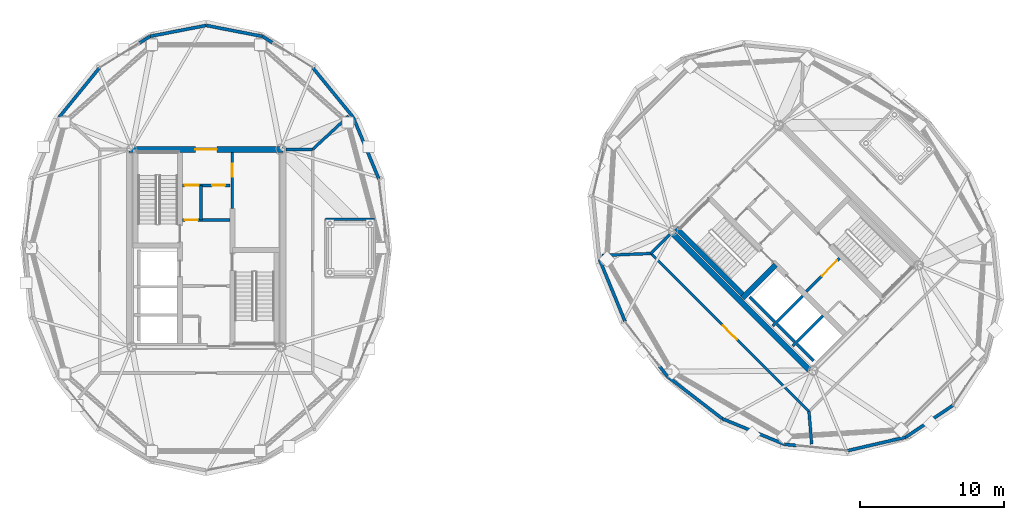
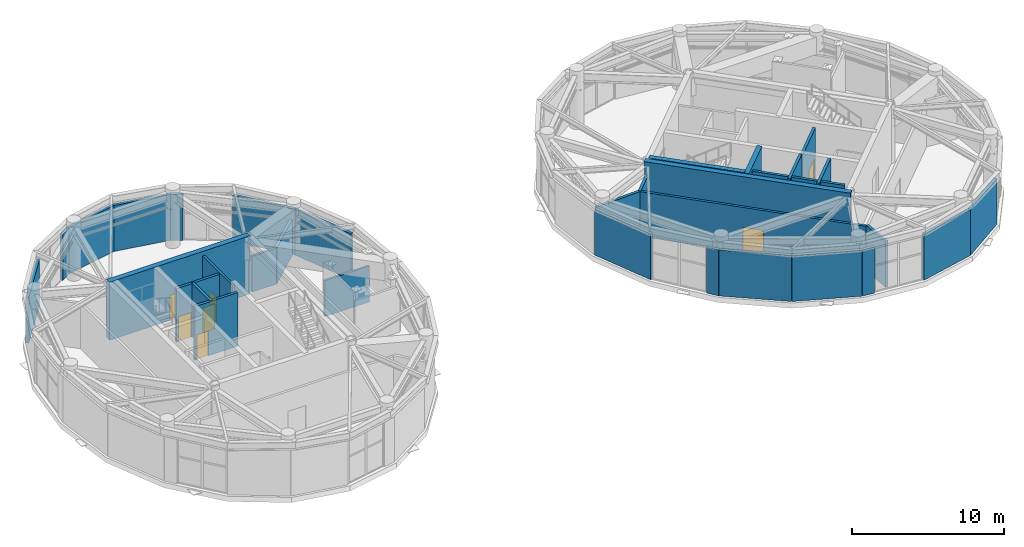
# One storey, part 24 of 28: 35 walls, 7 doors, 7 openings.
"""IFC4 building model written with IfcOpenShell, lengths in metres."""

from ifc_helpers import new_model, si_unit, direction, frame, frame_2d, origin, place, context, subcontext, project, spatial, rectangle, extrude, source, transform, mapped, material, layer, layer_set, type_object, element, fill, save


model = new_model("IFC4")

# Units and contexts
model_context = context("Model", 3, precision=1e-05, world=origin(), true_north=direction((0.0, 1.0)))
body_context = subcontext(model_context, "Body", "Model", "MODEL_VIEW")
ifc_project = project(units=[si_unit("LENGTHUNIT", "METRE"), si_unit("AREAUNIT", "SQUARE_METRE"), si_unit("VOLUMEUNIT", "CUBIC_METRE"), si_unit("PLANEANGLEUNIT", "RADIAN"), si_unit("MASSUNIT", "GRAM", prefix="KILO")], contexts=[model_context])

# Site, building, storey
site_placement = place(None, origin())
site = spatial("IfcSite", under=ifc_project, at=site_placement, CompositionType="ELEMENT")
building_placement = place(site_placement, origin())
building = spatial("IfcBuilding", under=site, at=building_placement, Name="Cununo Teusaquillo Station Towers", CompositionType="ELEMENT")
storey_placement = place(building_placement, frame((0.0, 0.0, 235.64990234375)))
storey = spatial("IfcBuildingStorey", under=building, at=storey_placement, Name="L75", CompositionType="ELEMENT", Elevation=235.64990234375)

# Walls
ifc_material_1 = material(Name="Concrete C50/60", Category="concrete")
ifc_layer_1 = layer(ifc_material_1, 0.199951171875)
ifc_layer_set_1 = layer_set([ifc_layer_1], Name="Concrete C50/60")
wall_type_1 = type_object("IfcWallType", Name="WL-CORE-200", PredefinedType="SHEAR", material=ifc_layer_set_1)
wall_1_placement = place(storey_placement, frame((55.8876953125, 19.0693359375, 0.0), z_axis=(0.0, 0.0, 1.0), x_axis=(0.707106781187, 0.707106781187, 0.0)))
element("IfcWall", 1, at=wall_1_placement, inside=storey, type_object=wall_type_1, Name="L75 Tower B Firefighting Lift Shaft South Shear Wall", PredefinedType="SHEAR", context=body_context, shape_type="SweptSolid", body=[
    extrude(rectangle(XDim=2.969970703125, YDim=0.199951171875, at=frame_2d((1.48486328125, 0.0))), origin(), (0.0, 0.0, 1.0), 4.68017578125),
])
wall_2_placement = place(storey_placement, frame((56.01513671875, 19.366455078125, 0.0), z_axis=(0.0, 0.0, 1.0), x_axis=(-0.707106781187, 0.707106781187, 0.0)))
element("IfcWall", 2, at=wall_2_placement, inside=storey, type_object=wall_type_1, Name="L75 Tower B Firefighting Lift Shaft Rear Shear Wall", PredefinedType="SHEAR", context=body_context, shape_type="SweptSolid", body=[
    extrude(rectangle(XDim=2.43994140625, YDim=0.199951171875, at=frame_2d((1.219970703125, 0.0))), origin(), (0.0, 0.0, 1.0), 4.68017578125),
])
wall_3_placement = place(storey_placement, frame((57.2841796875, 17.6728515625, 0.0), z_axis=(0.0, 0.0, 1.0), x_axis=(0.707147878904, 0.70706568108, 0.0)))
element("IfcWall", 3, at=wall_3_placement, inside=storey, type_object=wall_type_1, Name="L75 Tower B High-Rise Lift Hoistway Divider Shear Wall", PredefinedType="SHEAR", context=body_context, shape_type="SweptSolid", body=[
    extrude(rectangle(XDim=2.97021484375, YDim=0.199951171875, at=frame_2d((1.485107421875, 0.0))), origin(), (0.0, 0.0, 1.0), 4.68017578125),
])
wall_4_placement = place(storey_placement, frame((57.41162109375, 17.969970703125, 0.0), z_axis=(0.0, 0.0, 1.0), x_axis=(-0.707106781187, 0.707106781187, 0.0)))
element("IfcWall", 4, at=wall_4_placement, inside=storey, type_object=wall_type_1, Name="L75 Tower B High-Rise Lift 2 Shaft Rear Shear Wall", PredefinedType="SHEAR", context=body_context, shape_type="SweptSolid", body=[
    extrude(rectangle(XDim=1.73486328125, YDim=0.199951171875, at=frame_2d((0.867431640625, 0.0))), origin(), (0.0, 0.0, 1.0), 4.68017578125),
])
wall_5_placement = place(storey_placement, frame((58.7373046875, 16.64404296875, 0.0), z_axis=(0.0, 0.0, 1.0), x_axis=(-0.707032117043, 0.707181437447, 0.0)))
element("IfcWall", 5, at=wall_5_placement, inside=storey, type_object=wall_type_1, Name="L75 Tower B High-Rise Lift 1 Shaft Rear Shear Wall", PredefinedType="SHEAR", context=body_context, shape_type="SweptSolid", body=[
    extrude(rectangle(XDim=1.635009765625, YDim=0.199951171875, at=frame_2d((0.8173828125, 0.0))), origin(), (0.0, 0.0, 1.0), 4.68017578125),
])
ifc_material_2 = material(Name="Concrete C50/60", Category="concrete")
ifc_layer_2 = layer(ifc_material_2, 0.35009765625)
ifc_layer_set_2 = layer_set([ifc_layer_2], Name="Concrete C50/60")
wall_type_2 = type_object("IfcWallType", Name="WL-CORE-350", PredefinedType="SHEAR", material=ifc_layer_set_2)
wall_6_placement = place(storey_placement, frame((53.922119140625, 21.14111328125, 0.0), z_axis=(0.0, 0.0, 1.0), x_axis=(-0.707106781187, 0.707106781187, 0.0)))
element("IfcWall", 6, at=wall_6_placement, inside=storey, type_object=wall_type_2, Name="L75 Tower B Core Shear Wall ST1W", PredefinedType="SHEAR", context=body_context, shape_type="SweptSolid", body=[
    extrude(rectangle(XDim=6.695068359375, YDim=0.35009765625, at=frame_2d((3.34765625, 0.0))), origin(), (0.0, 0.0, 1.0), 4.68017578125),
])
wall_7_placement = place(storey_placement, frame((53.7841796875, 21.00341796875, 0.0), z_axis=(0.0, 0.0, 1.0), x_axis=(0.707106781187, 0.707106781187, 0.0)))
element("IfcWall", 7, at=wall_7_placement, inside=storey, type_object=wall_type_2, Name="L75 Tower B Core Shear Wall ST1S", PredefinedType="SHEAR", context=body_context, shape_type="SweptSolid", body=[
    extrude(rectangle(XDim=3.284912109375, YDim=0.35009765625, at=frame_2d((1.642578125, 0.0))), origin(), (0.0, 0.0, 1.0), 4.68017578125),
])

# Wall, opening, door
ifc_material_3 = material(Name="Concrete C50/60", Category="concrete")
ifc_layer_3 = layer(ifc_material_3, 0.39990234375)
ifc_layer_set_3 = layer_set([ifc_layer_3], Name="Concrete C50/60")
wall_type_3 = type_object("IfcWallType", Name="WL-CORE-400", PredefinedType="SHEAR", material=ifc_layer_set_3)
wall_8_placement = place(storey_placement, frame((11.14990234375, 31.35009765625, 0.0), z_axis=(0.0, 0.0, 1.0), x_axis=(1.0, 0.0, 0.0)))
wall_8 = element("IfcWall", 8, at=wall_8_placement, inside=storey, type_object=wall_type_3, Name="L75 Tower A Core Shear Wall N", PredefinedType="SHEAR", context=body_context, shape_type="SweptSolid", body=[
    extrude(rectangle(XDim=10.7001953125, YDim=0.39990234375, at=frame_2d((5.35009765625, 0.0))), origin(), (0.0, 0.0, 1.0), 4.68017578125),
])
shared_shape_1 = source(origin(), body_context, "Body", "SweptSolid", [
    extrude(rectangle(XDim=1.5, YDim=2.02001953125, at=frame_2d((0.75, 1.010009765625))), frame((0.0, 0.2099609375, 0.0), z_axis=(0.0, -1.0, 0.0), x_axis=(1.0, 0.0, 0.0)), (0.0, 0.0, 1.0), 0.419921875),
])
opening_1_placement = place(wall_8_placement, frame((4.60009765625, 0.0, 0.0)))
opening_1 = element("IfcOpeningElement", 9, at=opening_1_placement, cuts=wall_8, Name="Opening D-LB1", PredefinedType="OPENING", context=body_context, shape_type="MappedRepresentation", body=[
    mapped(shared_shape_1, transform((0.0, 0.0, 0.0), x_axis=(1.0, 0.0, 0.0), y_axis=(0.0, 1.0, 0.0), z_axis=(0.0, 0.0, 1.0), scale=1.0)),
])
ifc_material_4 = material(Name="Galvanised fire-rated hollow steel door assembly", Category="steel")
door_type_1 = type_object("IfcDoorType", Name="DR-LOBBY-1500", OperationType="DOUBLE_DOOR_SINGLE_SWING", PredefinedType="DOOR", material=ifc_material_4)
shared_shape_2 = source(origin(), body_context, "Body", "SweptSolid", [
    extrude(rectangle(XDim=1.5, YDim=2.02001953125, at=frame_2d((0.75, 1.010009765625))), frame((0.0, 0.02490234375, 0.0), z_axis=(0.0, -1.0, 0.0), x_axis=(1.0, 0.0, 0.0)), (0.0, 0.0, 1.0), 0.050048828125),
])
door_1_placement = place(opening_1_placement, origin())
door_1 = element("IfcDoor", 10, at=door_1_placement, inside=storey, type_object=door_type_1, Name="L75 Tower A North Core Lift Lobby Door", OperationType="DOUBLE_DOOR_SINGLE_SWING", OverallHeight=2.02001953125, OverallWidth=1.5, PredefinedType="DOOR", context=body_context, shape_type="MappedRepresentation", body=[
    mapped(shared_shape_2, transform((0.0, 0.0, 0.0), x_axis=(1.0, 0.0, 0.0), y_axis=(0.0, 1.0, 0.0), z_axis=(0.0, 0.0, 1.0), scale=1.0)),
])
fill(opening_1, door_1)

# Walls
wall_9_placement = place(storey_placement, frame((58.7021484375, 15.73193359375, 0.0), z_axis=(0.0, 0.0, 1.0), x_axis=(-0.707106781187, 0.707106781187, 0.0)))
element("IfcWall", 11, at=wall_9_placement, inside=storey, type_object=wall_type_3, Name="L75 Tower B Core Shear Wall W", PredefinedType="SHEAR", context=body_context, shape_type="SweptSolid", body=[
    extrude(rectangle(XDim=14.10009765625, YDim=0.39990234375, at=frame_2d((7.050048828125, 0.0))), origin(), (0.0, 0.0, 1.0), 4.68017578125),
])
ifc_material_5 = material(Name="Precast concrete C40/50", Category="concrete")
ifc_layer_4 = layer(ifc_material_5, 0.219970703125)
ifc_layer_set_4 = layer_set([ifc_layer_4], Name="Precast concrete C40/50")
wall_type_4 = type_object("IfcWallType", Name="WL-EXT-220", PredefinedType="SOLIDWALL", material=ifc_layer_set_4)
wall_10_placement = place(storey_placement, frame((26.718017578125, 33.593017578125, 0.0), z_axis=(0.0, 0.0, 1.0), x_axis=(0.384036305194, -0.923317993052, 0.0)))
element("IfcWall", 12, at=wall_10_placement, inside=storey, type_object=wall_type_4, Name="L75 Tower A Crown Drum Spandrel Cassette C01", PredefinedType="SOLIDWALL", context=body_context, shape_type="SweptSolid", body=[
    extrude(rectangle(XDim=4.670654296875, YDim=0.219970703125, at=frame_2d((2.33544921875, 0.0))), origin(), (0.0, 0.0, 1.0), 3.696044921875),
])
wall_11_placement = place(storey_placement, frame((23.923583984375, 37.015380859375, 0.0), z_axis=(0.0, 0.0, 1.0), x_axis=(0.632467166636, -0.774587169483, 0.0)))
element("IfcWall", 13, at=wall_11_placement, inside=storey, type_object=wall_type_4, Name="L75 Tower A Crown Drum Spandrel Cassette C02", PredefinedType="SOLIDWALL", context=body_context, shape_type="SweptSolid", body=[
    extrude(rectangle(XDim=4.418212890625, YDim=0.219970703125, at=frame_2d((2.208984375, 0.0))), origin(), (0.0, 0.0, 1.0), 3.696044921875),
])
wall_12_placement = place(storey_placement, frame((20.40283203125, 39.212890625, 0.0), z_axis=(0.0, 0.0, 1.0), x_axis=(0.848376354637, -0.529393578439, 0.0)))
element("IfcWall", 14, at=wall_12_placement, inside=storey, type_object=wall_type_4, Name="L75 Tower A Crown Drum Pier Cassette C03-PA", PredefinedType="SOLIDWALL", context=body_context, shape_type="SweptSolid", body=[
    extrude(rectangle(XDim=0.8701171875, YDim=0.219970703125, at=frame_2d((0.43505859375, 0.0))), origin(), (0.0, 0.0, 1.0), 3.696044921875),
])
for number, where, z_axis, x_axis, name in (
    (15, (16.5, 39.969970703125, 0.0), (0.0, 0.0, 1.0), (0.981700307484, -0.190432419211, 0.0), "L75 Tower A Crown Drum Spandrel Cassette C04"),
    (16, (12.59716796875, 39.212890625, 0.0), (0.0, 0.0, 1.0), (0.981700307484, 0.190432419211, 0.0), "L75 Tower A Crown Drum Spandrel Cassette C05"),
):
    element("IfcWall", number, at=place(storey_placement, frame(where, z_axis=z_axis, x_axis=x_axis)), inside=storey, type_object=wall_type_4, Name=name, PredefinedType="SOLIDWALL", context=body_context, shape_type="SweptSolid", body=[
        extrude(rectangle(XDim=3.9755859375, YDim=0.219970703125, at=frame_2d((1.98779296875, 0.0))), origin(), (0.0, 0.0, 1.0), 3.696044921875),
    ])
wall_13_placement = place(storey_placement, frame((11.85888671875, 38.752197265625, 0.0), z_axis=(0.0, 0.0, 1.0), x_axis=(0.848376354637, 0.529393578439, 0.0)))
element("IfcWall", 17, at=wall_13_placement, inside=storey, type_object=wall_type_4, Name="L75 Tower A Crown Drum Pier Cassette C06-PB", PredefinedType="SOLIDWALL", context=body_context, shape_type="SweptSolid", body=[
    extrude(rectangle(XDim=0.8701171875, YDim=0.219970703125, at=frame_2d((0.43505859375, 0.0))), origin(), (0.0, 0.0, 1.0), 3.696044921875),
])
wall_14_placement = place(storey_placement, frame((6.281982421875, 33.593017578125, 0.0), z_axis=(0.0, 0.0, 1.0), x_axis=(0.632467166636, 0.774587169483, 0.0)))
element("IfcWall", 18, at=wall_14_placement, inside=storey, type_object=wall_type_4, Name="L75 Tower A Crown Drum Spandrel Cassette C07", PredefinedType="SOLIDWALL", context=body_context, shape_type="SweptSolid", body=[
    extrude(rectangle(XDim=4.418212890625, YDim=0.219970703125, at=frame_2d((2.208984375, 0.0))), origin(), (0.0, 0.0, 1.0), 3.696044921875),
])
wall_15_placement = place(storey_placement, frame((45.626220703125, 19.38671875, 0.0), z_axis=(0.0, 0.0, 1.0), x_axis=(-0.381309704956, 0.924447353237, 0.0)))
element("IfcWall", 19, at=wall_15_placement, inside=storey, type_object=wall_type_4, Name="L75 Tower B Crown Drum Spandrel Cassette C08", PredefinedType="SOLIDWALL", context=body_context, shape_type="SweptSolid", body=[
    extrude(rectangle(XDim=4.670654296875, YDim=0.219970703125, at=frame_2d((2.33544921875, 0.0))), origin(), (0.0, 0.0, 1.0), 3.696044921875),
])
wall_16_placement = place(storey_placement, frame((48.569091796875, 15.569091796875, 0.0), z_axis=(0.0, 0.0, 1.0), x_axis=(-0.610320822734, 0.792154336817, 0.0)))
element("IfcWall", 20, at=wall_16_placement, inside=storey, type_object=wall_type_4, Name="L75 Tower B Crown Drum Pier Cassette C09-PA", PredefinedType="SOLIDWALL", context=body_context, shape_type="SweptSolid", body=[
    extrude(rectangle(XDim=0.8701171875, YDim=0.219970703125, at=frame_2d((0.43505859375, 0.0))), origin(), (0.0, 0.0, 1.0), 3.696044921875),
])
wall_17_placement = place(storey_placement, frame((52.38671875, 12.626220703125, 0.0), z_axis=(0.0, 0.0, 1.0), x_axis=(-0.791998462147, 0.610523083886, 0.0)))
element("IfcWall", 21, at=wall_17_placement, inside=storey, type_object=wall_type_4, Name="L75 Tower B Crown Drum Spandrel Cassette C10", PredefinedType="SOLIDWALL", context=body_context, shape_type="SweptSolid", body=[
    extrude(rectangle(XDim=4.8203125, YDim=0.219970703125, at=frame_2d((2.41015625, 0.0))), origin(), (0.0, 0.0, 1.0), 3.696044921875),
])
wall_18_placement = place(storey_placement, frame((56.70458984375, 10.84521484375, 0.0), z_axis=(0.0, 0.0, 1.0), x_axis=(-0.924447353237, 0.381309704956, 0.0)))
element("IfcWall", 22, at=wall_18_placement, inside=storey, type_object=wall_type_4, Name="L75 Tower B Crown Drum Spandrel Cassette C11", PredefinedType="SOLIDWALL", context=body_context, shape_type="SweptSolid", body=[
    extrude(rectangle(XDim=4.670654296875, YDim=0.219970703125, at=frame_2d((2.33544921875, 0.0))), origin(), (0.0, 0.0, 1.0), 3.696044921875),
])
wall_19_placement = place(storey_placement, frame((57.5703125, 10.757568359375, 0.0), z_axis=(0.0, 0.0, 1.0), x_axis=(-0.994914209363, 0.100725945054, 0.0)))
element("IfcWall", 23, at=wall_19_placement, inside=storey, type_object=wall_type_4, Name="L75 Tower B Crown Drum Pier Cassette C12-PB", PredefinedType="SOLIDWALL", context=body_context, shape_type="SweptSolid", body=[
    extrude(rectangle(XDim=0.8701171875, YDim=0.219970703125, at=frame_2d((0.43505859375, 0.0))), origin(), (0.0, 0.0, 1.0), 3.696044921875),
])
wall_20_placement = place(storey_placement, frame((65.143798828125, 11.336669921875, 0.0), z_axis=(0.0, 0.0, 1.0), x_axis=(-0.974249228678, -0.225473813158, 0.0)))
element("IfcWall", 24, at=wall_20_placement, inside=storey, type_object=wall_type_4, Name="L75 Tower B Crown Drum Spandrel Cassette C13", PredefinedType="SOLIDWALL", context=body_context, shape_type="SweptSolid", body=[
    extrude(rectangle(XDim=4.150390625, YDim=0.219970703125, at=frame_2d((2.0751953125, 0.0))), origin(), (0.0, 0.0, 1.0), 3.696044921875),
])
wall_21_placement = place(storey_placement, frame((68.43896484375, 13.56103515625, 0.0), z_axis=(0.0, 0.0, 1.0), x_axis=(-0.828833723692, -0.559495003079, 0.0)))
element("IfcWall", 25, at=wall_21_placement, inside=storey, type_object=wall_type_4, Name="L75 Tower B Crown Drum Spandrel Cassette C14", PredefinedType="SOLIDWALL", context=body_context, shape_type="SweptSolid", body=[
    extrude(rectangle(XDim=3.9755859375, YDim=0.219970703125, at=frame_2d((1.98779296875, 0.0))), origin(), (0.0, 0.0, 1.0), 3.696044921875),
])

# Wall, opening, door
ifc_material_6 = material(Name="Fire-rated gypsum plasterboard partition assembly", Category="gypsum")
ifc_layer_5 = layer(ifc_material_6, 0.159912109375)
ifc_layer_set_5 = layer_set([ifc_layer_5], Name="Fire-rated gypsum plasterboard partition assembly")
wall_type_5 = type_object("IfcWallType", Name="WL-PART-160", PredefinedType="PARTITIONING", material=ifc_layer_set_5)
wall_22_placement = place(storey_placement, frame((18.31494140625, 27.25, 0.0), z_axis=(0.0, 0.0, 1.0), x_axis=(0.0, 1.0, 0.0)))
wall_22 = element("IfcWall", 26, at=wall_22_placement, inside=storey, type_object=wall_type_5, Name="L75 Tower A Reclaimed Core Bay Entry Wall", PredefinedType="PARTITIONING", context=body_context, shape_type="SweptSolid", body=[
    extrude(rectangle(XDim=3.89990234375, YDim=0.159912109375, at=frame_2d((1.949951171875, 0.0))), origin(), (0.0, 0.0, 1.0), 4.3251953125),
])
shared_shape_3 = source(origin(), body_context, "Body", "SweptSolid", [
    extrude(rectangle(XDim=0.89990234375, YDim=2.0048828125, at=frame_2d((0.449951171875, 1.00244140625))), frame((0.0, 0.08984375, 0.0), z_axis=(0.0, -1.0, 0.0), x_axis=(1.0, 0.0, 0.0)), (0.0, 0.0, 1.0), 0.179931640625),
])
opening_2_placement = place(wall_22_placement, frame((2.199951171875, 0.0, 0.0)))
opening_2 = element("IfcOpeningElement", 27, at=opening_2_placement, cuts=wall_22, Name="Opening D-IN1", PredefinedType="OPENING", context=body_context, shape_type="MappedRepresentation", body=[
    mapped(shared_shape_3, transform((0.0, 0.0, 0.0), x_axis=(1.0, 0.0, 0.0), y_axis=(0.0, 1.0, 0.0), z_axis=(0.0, 0.0, 1.0), scale=1.0)),
])
ifc_material_7 = material(Name="Acoustic solid-core hardwood leaf assembly", Category="wood")
door_type_2 = type_object("IfcDoorType", Name="DR-INT-900", OperationType="NOTDEFINED", PredefinedType="DOOR", material=ifc_material_7)
shared_shape_4 = source(origin(), body_context, "Body", "SweptSolid", [
    extrude(rectangle(XDim=0.89990234375, YDim=2.0048828125, at=frame_2d((0.449951171875, 1.00244140625))), frame((0.0, 0.02490234375, 0.0), z_axis=(0.0, -1.0, 0.0), x_axis=(1.0, 0.0, 0.0)), (0.0, 0.0, 1.0), 0.050048828125),
])
door_2_placement = place(opening_2_placement, origin())
door_2 = element("IfcDoor", 28, at=door_2_placement, inside=storey, type_object=door_type_2, Name="L75 Tower A Reclaimed Core Lounge Door", OperationType="SINGLE_SWING_RIGHT", OverallHeight=2.0048828125, OverallWidth=0.89990234375, PredefinedType="DOOR", context=body_context, shape_type="MappedRepresentation", body=[
    mapped(shared_shape_4, transform((0.0, 0.0, 0.0), x_axis=(1.0, 0.0, 0.0), y_axis=(0.0, 1.0, 0.0), z_axis=(0.0, 0.0, 1.0), scale=1.0)),
])
fill(opening_2, door_2)

# Wall
wall_23_placement = place(storey_placement, frame((24.800048828125, 26.5, 0.0), z_axis=(0.0, 0.0, 1.0), x_axis=(1.0, 0.0, 0.0)))
element("IfcWall", 29, at=wall_23_placement, inside=storey, type_object=wall_type_5, Name="L75 Tower A Damper Frame Guard Wall N", PredefinedType="PARTITIONING", context=body_context, shape_type="SweptSolid", body=[
    extrude(rectangle(XDim=3.39990234375, YDim=0.159912109375, at=frame_2d((1.699951171875, 0.0))), origin(), (0.0, 0.0, 1.0), 2.89208984375),
])

# Wall, opening, door
ifc_material_8 = material(Name="Fire-rated gypsum plasterboard partition assembly", Category="gypsum")
ifc_layer_6 = layer(ifc_material_8, 0.179931640625)
ifc_layer_set_6 = layer_set([ifc_layer_6], Name="Fire-rated gypsum plasterboard partition assembly")
wall_type_6 = type_object("IfcWallType", Name="WL-PART-180", PredefinedType="PARTITIONING", material=ifc_layer_set_6)
wall_24_placement = place(storey_placement, frame((58.419189453125, 13.115478515625, 0.0), z_axis=(0.0, 0.0, 1.0), x_axis=(-0.707106781187, 0.707106781187, 0.0)))
wall_24 = element("IfcWall", 30, at=wall_24_placement, inside=storey, type_object=wall_type_6, Name="L75 Tower B Crown Corridor Wall W", PredefinedType="PARTITIONING", context=body_context, shape_type="SweptSolid", body=[
    extrude(rectangle(XDim=15.550048828125, YDim=0.179931640625, at=frame_2d((7.77490234375, 0.0))), origin(), (0.0, 0.0, 1.0), 3.6162109375),
])
shared_shape_5 = source(origin(), body_context, "Body", "SweptSolid", [
    extrude(rectangle(XDim=1.39990234375, YDim=2.02001953125, at=frame_2d((0.699951171875, 1.010009765625))), frame((0.0, 0.099853515625, 0.0), z_axis=(0.0, -1.0, 0.0), x_axis=(1.0, 0.0, 0.0)), (0.0, 0.0, 1.0), 0.199951171875),
])
opening_3_placement = place(wall_24_placement, frame((7.074951171875, 0.0, 0.0)))
opening_3 = element("IfcOpeningElement", 31, at=opening_3_placement, cuts=wall_24, Name="Opening D-PL1", PredefinedType="OPENING", context=body_context, shape_type="MappedRepresentation", body=[
    mapped(shared_shape_5, transform((0.0, 0.0, 0.0), x_axis=(1.0, 0.0, 0.0), y_axis=(0.0, 1.0, 0.0), z_axis=(0.0, 0.0, 1.0), scale=1.0)),
])
ifc_material_9 = material(Name="Galvanised fire-rated hollow steel door assembly", Category="steel")
door_type_3 = type_object("IfcDoorType", Name="DR-PLANT-1400", OperationType="NOTDEFINED", PredefinedType="DOOR", material=ifc_material_9)
shared_shape_6 = source(origin(), body_context, "Body", "SweptSolid", [
    extrude(rectangle(XDim=1.39990234375, YDim=2.02001953125, at=frame_2d((0.699951171875, 1.010009765625))), frame((0.0, 0.02490234375, 0.0), z_axis=(0.0, -1.0, 0.0), x_axis=(1.0, 0.0, 0.0)), (0.0, 0.0, 1.0), 0.050048828125),
])
door_3_placement = place(opening_3_placement, origin())
door_3 = element("IfcDoor", 32, at=door_3_placement, inside=storey, type_object=door_type_3, Name="L75 Tower B Crown Room W Double Door", OperationType="SINGLE_SWING_RIGHT", OverallHeight=2.02001953125, OverallWidth=1.39990234375, PredefinedType="DOOR", context=body_context, shape_type="MappedRepresentation", body=[
    mapped(shared_shape_6, transform((0.0, 0.0, 0.0), x_axis=(1.0, 0.0, 0.0), y_axis=(0.0, 1.0, 0.0), z_axis=(0.0, 0.0, 1.0), scale=1.0)),
])
fill(opening_3, door_3)

ifc_material_10 = material(Name="Fire-rated gypsum plasterboard partition assembly", Category="gypsum")
ifc_layer_7 = layer(ifc_material_10, 0.199951171875)
ifc_layer_set_7 = layer_set([ifc_layer_7], Name="Fire-rated gypsum plasterboard partition assembly")
wall_type_7 = type_object("IfcWallType", Name="WL-PART-200", PredefinedType="PARTITIONING", material=ifc_layer_set_7)
wall_25_placement = place(storey_placement, frame((14.860107421875, 26.449951171875, 0.0), z_axis=(0.0, 0.0, 1.0), x_axis=(1.0, 0.0, 0.0)))
wall_25 = element("IfcWall", 33, at=wall_25_placement, inside=storey, type_object=wall_type_7, Name="L75 Tower A Firefighting Lift Lobby North Fire Wall", PredefinedType="PARTITIONING", context=body_context, shape_type="SweptSolid", body=[
    extrude(rectangle(XDim=3.27978515625, YDim=0.199951171875, at=frame_2d((1.639892578125, 0.0))), origin(), (0.0, 0.0, 1.0), 4.3251953125),
])
shared_shape_7 = source(origin(), body_context, "Body", "SweptSolid", [
    extrude(rectangle(XDim=0.89990234375, YDim=2.0048828125, at=frame_2d((0.449951171875, 1.00244140625))), frame((0.0, 0.10986328125, 0.0), z_axis=(0.0, -1.0, 0.0), x_axis=(1.0, 0.0, 0.0)), (0.0, 0.0, 1.0), 0.219970703125),
])
opening_4_placement = place(wall_25_placement, frame((0.159912109375, 0.0, 0.0)))
opening_4 = element("IfcOpeningElement", 34, at=opening_4_placement, cuts=wall_25, Name="Opening D-SR1", PredefinedType="OPENING", context=body_context, shape_type="MappedRepresentation", body=[
    mapped(shared_shape_7, transform((0.0, 0.0, 0.0), x_axis=(1.0, 0.0, 0.0), y_axis=(0.0, 1.0, 0.0), z_axis=(0.0, 0.0, 1.0), scale=1.0)),
])
ifc_material_11 = material(Name="Galvanised fire-rated hollow steel door assembly", Category="steel")
door_type_4 = type_object("IfcDoorType", Name="DR-STORE-900", OperationType="NOTDEFINED", PredefinedType="DOOR", material=ifc_material_11)
door_4_placement = place(opening_4_placement, origin())
door_4 = element("IfcDoor", 35, at=door_4_placement, inside=storey, type_object=door_type_4, Name="L75 Tower A Stair 1 Protected Vestibule South Door", OperationType="SINGLE_SWING_RIGHT", OverallHeight=2.0048828125, OverallWidth=0.89990234375, PredefinedType="DOOR", context=body_context, shape_type="MappedRepresentation", body=[
    mapped(shared_shape_4, transform((0.0, 0.0, 0.0), x_axis=(1.0, 0.0, 0.0), y_axis=(0.0, 1.0, 0.0), z_axis=(0.0, 0.0, 1.0), scale=1.0)),
])
fill(opening_4, door_4)

# Wall
wall_26_placement = place(storey_placement, frame((16.14990234375, 26.449951171875, 0.0), z_axis=(0.0, 0.0, 1.0), x_axis=(0.0, 1.0, 0.0)))
element("IfcWall", 36, at=wall_26_placement, inside=storey, type_object=wall_type_7, Name="L75 Tower A Stair 1 Vestibule Partition Wall", PredefinedType="PARTITIONING", context=body_context, shape_type="SweptSolid", body=[
    extrude(rectangle(XDim=2.400146484375, YDim=0.199951171875, at=frame_2d((1.2001953125, 0.0))), origin(), (0.0, 0.0, 1.0), 4.3251953125),
])

# Wall, openings, doors
wall_27_placement = place(storey_placement, frame((14.860107421875, 28.85009765625, 0.0), z_axis=(0.0, 0.0, 1.0), x_axis=(1.0, 0.0, 0.0)))
wall_27 = element("IfcWall", 37, at=wall_27_placement, inside=storey, type_object=wall_type_7, Name="L75 Tower A North Lift Lobby South Fire Wall", PredefinedType="PARTITIONING", context=body_context, shape_type="SweptSolid", body=[
    extrude(rectangle(XDim=3.27978515625, YDim=0.199951171875, at=frame_2d((1.639892578125, 0.0))), origin(), (0.0, 0.0, 1.0), 4.3251953125),
])
shared_shape_8 = source(origin(), body_context, "Body", "SweptSolid", [
    extrude(rectangle(XDim=1.0, YDim=2.014892578125, at=frame_2d((0.5, 1.00732421875))), frame((0.0, 0.10986328125, 0.0), z_axis=(0.0, -1.0, 0.0), x_axis=(1.0, 0.0, 0.0)), (0.0, 0.0, 1.0), 0.219970703125),
])
opening_5_placement = place(wall_27_placement, frame((0.139892578125, 0.0, 0.0)))
opening_5 = element("IfcOpeningElement", 38, at=opening_5_placement, cuts=wall_27, Name="Opening D-AC1", PredefinedType="OPENING", context=body_context, shape_type="MappedRepresentation", body=[
    mapped(shared_shape_8, transform((0.0, 0.0, 0.0), x_axis=(1.0, 0.0, 0.0), y_axis=(0.0, 1.0, 0.0), z_axis=(0.0, 0.0, 1.0), scale=1.0)),
])
opening_6_placement = place(wall_27_placement, frame((2.050048828125, 0.0, 0.0)))
opening_6 = element("IfcOpeningElement", 39, at=opening_6_placement, cuts=wall_27, Name="Opening D-SR1", PredefinedType="OPENING", context=body_context, shape_type="MappedRepresentation", body=[
    mapped(shared_shape_7, transform((0.0, 0.0, 0.0), x_axis=(1.0, 0.0, 0.0), y_axis=(0.0, 1.0, 0.0), z_axis=(0.0, 0.0, 1.0), scale=1.0)),
])
door_5_placement = place(opening_6_placement, origin())
door_5 = element("IfcDoor", 40, at=door_5_placement, inside=storey, type_object=door_type_4, Name="L75 Tower A Core Housekeeping & Linen Store Door", OperationType="SINGLE_SWING_LEFT", OverallHeight=2.0048828125, OverallWidth=0.89990234375, PredefinedType="DOOR", context=body_context, shape_type="MappedRepresentation", body=[
    mapped(shared_shape_4, transform((0.0, 0.0, 0.0), x_axis=(1.0, 0.0, 0.0), y_axis=(0.0, 1.0, 0.0), z_axis=(0.0, 0.0, 1.0), scale=1.0)),
])
fill(opening_6, door_5)
ifc_material_12 = material(Name="Acoustic solid-core hardwood leaf assembly", Category="wood")
door_type_5 = type_object("IfcDoorType", Name="DR-ACC-1000", OperationType="NOTDEFINED", PredefinedType="DOOR", material=ifc_material_12)
shared_shape_9 = source(origin(), body_context, "Body", "SweptSolid", [
    extrude(rectangle(XDim=1.0, YDim=2.014892578125, at=frame_2d((0.5, 1.00732421875))), frame((0.0, 0.02490234375, 0.0), z_axis=(0.0, -1.0, 0.0), x_axis=(1.0, 0.0, 0.0)), (0.0, 0.0, 1.0), 0.050048828125),
])
door_6_placement = place(opening_5_placement, origin())
door_6 = element("IfcDoor", 41, at=door_6_placement, inside=storey, type_object=door_type_5, Name="L75 Tower A North Lift Lobby to Stair 1 Vestibule Door", OperationType="SINGLE_SWING_LEFT", OverallHeight=2.014892578125, OverallWidth=1.0, PredefinedType="DOOR", context=body_context, shape_type="MappedRepresentation", body=[
    mapped(shared_shape_9, transform((0.0, 0.0, 0.0), x_axis=(1.0, 0.0, 0.0), y_axis=(0.0, 1.0, 0.0), z_axis=(0.0, 0.0, 1.0), scale=1.0)),
])
fill(opening_5, door_6)

# Walls
wall_28_placement = place(storey_placement, frame((22.050048828125, 31.35009765625, 0.0), z_axis=(0.0, 0.0, 1.0), x_axis=(1.0, 0.0, 0.0)))
element("IfcWall", 42, at=wall_28_placement, inside=storey, type_object=wall_type_7, Name="L75 Tower A Crown North Hall Wall NE", PredefinedType="PARTITIONING", context=body_context, shape_type="SweptSolid", body=[
    extrude(rectangle(XDim=1.849853515625, YDim=0.199951171875, at=frame_2d((0.9248046875, 0.0))), origin(), (0.0, 0.0, 1.0), 2.89208984375),
])
wall_29_placement = place(storey_placement, frame((23.89990234375, 31.35009765625, 0.0), z_axis=(0.0, 0.0, 1.0), x_axis=(0.733869107154, 0.679290904963, 0.0)))
element("IfcWall", 43, at=wall_29_placement, inside=storey, type_object=wall_type_7, Name="L75 Tower A Crown Radial Wall Q2", PredefinedType="PARTITIONING", context=body_context, shape_type="SweptSolid", body=[
    extrude(rectangle(XDim=3.40869140625, YDim=0.199951171875, at=frame_2d((1.704345703125, 0.0))), origin(), (0.0, 0.0, 1.0), 2.89208984375),
])

# Wall, opening, door
wall_30_placement = place(storey_placement, frame((58.214111328125, 21.466552734375, 0.0), z_axis=(0.0, 0.0, 1.0), x_axis=(0.707106781187, 0.707106781187, 0.0)))
wall_30 = element("IfcWall", 44, at=wall_30_placement, inside=storey, type_object=wall_type_7, Name="L75 Tower B Firefighting Lift Lobby South Fire Wall", PredefinedType="PARTITIONING", context=body_context, shape_type="SweptSolid", body=[
    extrude(rectangle(XDim=3.280029296875, YDim=0.199951171875, at=frame_2d((1.64013671875, 0.0))), origin(), (0.0, 0.0, 1.0), 4.3251953125),
])
shared_shape_10 = source(origin(), body_context, "Body", "SweptSolid", [
    extrude(rectangle(XDim=1.5, YDim=2.02001953125, at=frame_2d((0.75, 1.010009765625))), frame((0.0, 0.10986328125, 0.0), z_axis=(0.0, -1.0, 0.0), x_axis=(1.0, 0.0, 0.0)), (0.0, 0.0, 1.0), 0.219970703125),
])
opening_7_placement = place(wall_30_placement, frame((1.550048828125, 0.0, 0.0)))
opening_7 = element("IfcOpeningElement", 45, at=opening_7_placement, cuts=wall_30, Name="Opening D-LB1", PredefinedType="OPENING", context=body_context, shape_type="MappedRepresentation", body=[
    mapped(shared_shape_10, transform((0.0, 0.0, 0.0), x_axis=(1.0, 0.0, 0.0), y_axis=(0.0, 1.0, 0.0), z_axis=(0.0, 0.0, 1.0), scale=1.0)),
])
door_7_placement = place(opening_7_placement, origin())
door_7 = element("IfcDoor", 46, at=door_7_placement, inside=storey, type_object=door_type_1, Name="L75 Tower B Firefighting Lift Lobby South Fire Door", OperationType="DOUBLE_DOOR_SINGLE_SWING", OverallHeight=2.02001953125, OverallWidth=1.5, PredefinedType="DOOR", context=body_context, shape_type="MappedRepresentation", body=[
    mapped(shared_shape_2, transform((0.0, 0.0, 0.0), x_axis=(1.0, 0.0, 0.0), y_axis=(0.0, 1.0, 0.0), z_axis=(0.0, 0.0, 1.0), scale=1.0)),
])
fill(opening_7, door_7)

# Walls
wall_31_placement = place(storey_placement, frame((47.423583984375, 24.111083984375, 0.0), z_axis=(0.0, 0.0, 1.0), x_axis=(0.707172758026, 0.707040798191, 0.0)))
element("IfcWall", 47, at=wall_31_placement, inside=storey, type_object=wall_type_7, Name="L75 Tower B Crown North Hall Wall NW", PredefinedType="PARTITIONING", context=body_context, shape_type="SweptSolid", body=[
    extrude(rectangle(XDim=1.85009765625, YDim=0.199951171875, at=frame_2d((0.925048828125, 0.0))), origin(), (0.0, 0.0, 1.0), 3.6162109375),
])
wall_32_placement = place(storey_placement, frame((47.423583984375, 24.111083984375, 0.0), z_axis=(0.0, 0.0, 1.0), x_axis=(-0.999254494259, -0.038606420501, 0.0)))
element("IfcWall", 48, at=wall_32_placement, inside=storey, type_object=wall_type_7, Name="L75 Tower B Crown Radial Wall Q1", PredefinedType="PARTITIONING", context=body_context, shape_type="SweptSolid", body=[
    extrude(rectangle(XDim=3.408447265625, YDim=0.199951171875, at=frame_2d((1.7041015625, 0.0))), origin(), (0.0, 0.0, 1.0), 3.6162109375),
])
wall_33_placement = place(storey_placement, frame((58.419189453125, 13.115478515625, 0.0), z_axis=(0.0, 0.0, 1.0), x_axis=(0.080501307187, -0.996754503146, 0.0)))
element("IfcWall", 49, at=wall_33_placement, inside=storey, type_object=wall_type_7, Name="L75 Tower B Crown Radial Wall Q4", PredefinedType="PARTITIONING", context=body_context, shape_type="SweptSolid", body=[
    extrude(rectangle(XDim=2.271484375, YDim=0.199951171875, at=frame_2d((1.1357421875, 0.0))), origin(), (0.0, 0.0, 1.0), 3.696044921875),
])

save(model, "model.ifc")
